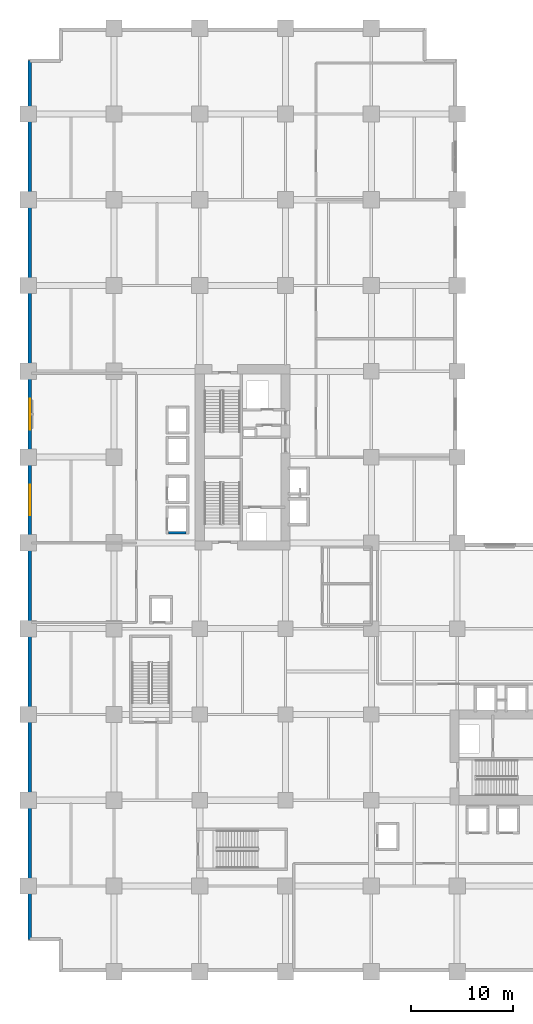
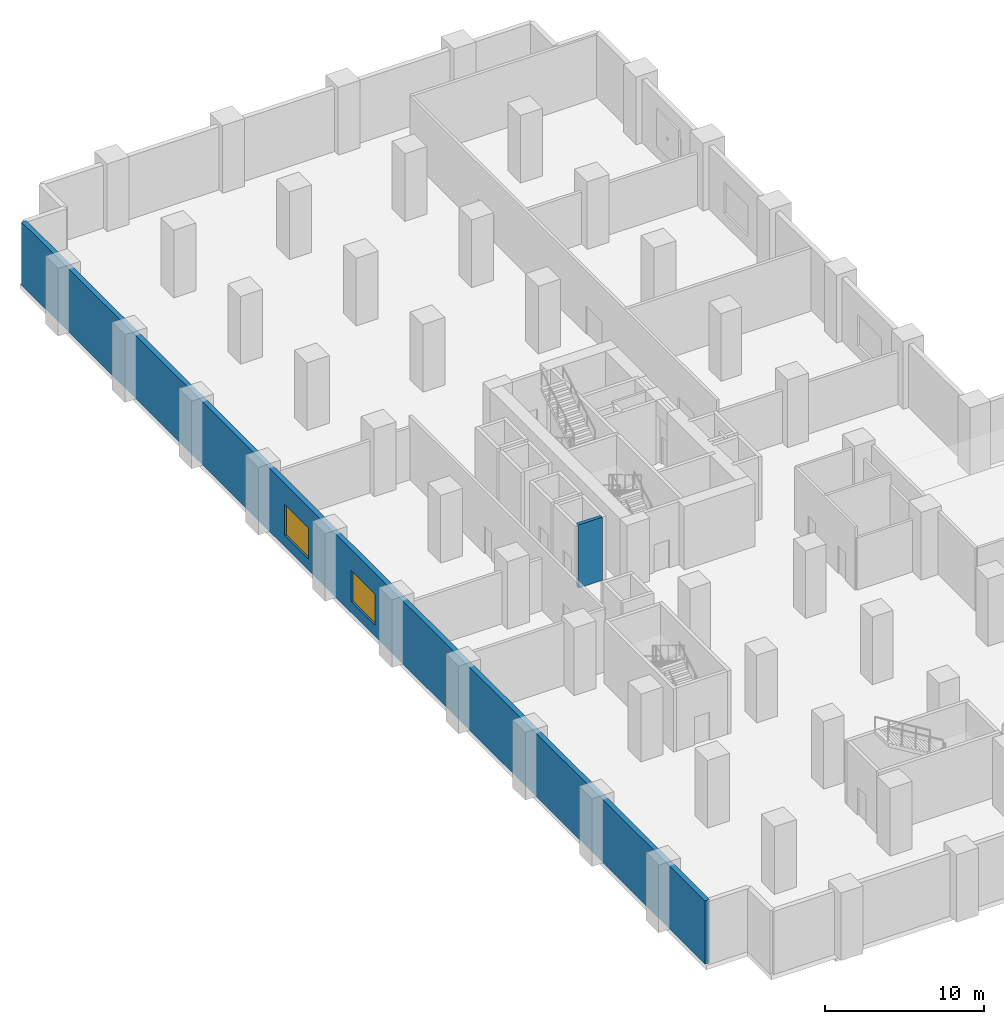
# One storey, part 11 of 19: 2 walls, 2 windows, 2 openings.
"""IFC4 building model written with IfcOpenShell, lengths in metres."""

from ifc_helpers import new_model, si_unit, direction, frame, frame_2d, origin, place, context, subcontext, project, spatial, rectangle, extrude, material, layer, layer_set, type_object, element, fill, save


model = new_model("IFC4")

# Units and contexts
model_context = context("Model", 3, precision=1e-05, world=origin(), true_north=direction((0.0, 1.0)))
body_context = subcontext(model_context, "Body", "Model", "MODEL_VIEW")
ifc_project = project(units=[si_unit("LENGTHUNIT", "METRE"), si_unit("AREAUNIT", "SQUARE_METRE"), si_unit("VOLUMEUNIT", "CUBIC_METRE"), si_unit("PLANEANGLEUNIT", "RADIAN"), si_unit("MASSUNIT", "GRAM", prefix="KILO")], contexts=[model_context])

# Site, building, storey
site_placement = place(None, origin())
site = spatial("IfcSite", under=ifc_project, at=site_placement, CompositionType="ELEMENT")
building_placement = place(site_placement, origin())
building = spatial("IfcBuilding", under=site, at=building_placement, Name="Koriwani Terraces Tower", CompositionType="ELEMENT")
storey_placement = place(building_placement, frame((0.0, 0.0, 15.60009765625)))
storey = spatial("IfcBuildingStorey", under=building, at=storey_placement, Name="L03", CompositionType="ELEMENT", Elevation=15.60009765625)

# Wall, openings, windows
ifc_material_1 = material(Name="Concrete C50/60", Category="concrete")
ifc_layer_1 = layer(ifc_material_1, 0.35009765625, Name="Concrete C50/60")
ifc_layer_set_1 = layer_set([ifc_layer_1], Name="Concrete C50/60")
wall_type_1 = type_object("IfcWallType", Name="WALL_EXT_BRUTALIST_350", PredefinedType="STANDARD", material=ifc_layer_set_1)
wall_1_placement = place(storey_placement, frame((0.175048828125, 3.175048828125, 0.0), z_axis=(0.0, 0.0, 1.0), x_axis=(0.0, 1.0, 0.0)))
wall_1 = element("IfcWall", 1, at=wall_1_placement, inside=storey, type_object=wall_type_1, Name="L03 Fair-Faced Brutalist Exterior Wall (W)", PredefinedType="STANDARD", context=body_context, shape_type="SweptSolid", body=[
    extrude(rectangle(XDim=86.050048828125, YDim=0.35009765625, at=frame_2d((43.02490234375, 0.0))), origin(), (0.0, 0.0, 1.0), 4.849853515625),
])
opening_1_placement = place(wall_1_placement, frame((41.52490234375, 0.0, 0.85009765625)))
opening_1 = element("IfcOpeningElement", 2, at=opening_1_placement, cuts=wall_1, Name="Opening W-06", PredefinedType="OPENING", context=body_context, shape_type="SweptSolid", body=[
    extrude(rectangle(XDim=3.0, YDim=2.39990234375, at=frame_2d((1.5, 1.199951171875))), frame((0.0, 0.18505859375, 0.0), z_axis=(0.0, -1.0, 0.0), x_axis=(1.0, 0.0, 0.0)), (0.0, 0.0, 1.0), 0.3701171875),
])
opening_2_placement = place(wall_1_placement, frame((49.925048828125, 0.0, 0.85009765625)))
opening_2 = element("IfcOpeningElement", 3, at=opening_2_placement, cuts=wall_1, Name="Opening W-06", PredefinedType="OPENING", context=body_context, shape_type="SweptSolid", body=[
    extrude(rectangle(XDim=3.0, YDim=2.39990234375, at=frame_2d((1.5, 1.199951171875))), frame((0.0, 0.18505859375, 0.0), z_axis=(0.0, -1.0, 0.0), x_axis=(1.0, 0.0, 0.0)), (0.0, 0.0, 1.0), 0.3701171875),
])
ifc_material_2 = material(Name="Tempered Laminated Low-E Glass", Category="glass")
window_type = type_object("IfcWindowType", Name="WIN_PODIUM_PUNCHED_3000X2400", PartitioningType="TRIPLE_PANEL_VERTICAL", PredefinedType="WINDOW", material=ifc_material_2)
window_1_placement = place(opening_1_placement, origin())
window_1 = element("IfcWindow", 4, at=window_1_placement, inside=storey, type_object=window_type, Name="L03 Exterior Window (W-15)", OverallHeight=2.39990234375, OverallWidth=3.0, PartitioningType="SINGLE_PANEL", PredefinedType="WINDOW", context=body_context, shape_type="SweptSolid", body=[
    extrude(rectangle(XDim=3.0, YDim=2.39990234375, at=frame_2d((1.5, 1.199951171875))), frame((0.0, 0.030029296875, 0.0), z_axis=(0.0, -1.0, 0.0), x_axis=(1.0, 0.0, 0.0)), (0.0, 0.0, 1.0), 0.06005859375),
])
fill(opening_1, window_1)
window_2_placement = place(opening_2_placement, origin())
window_2 = element("IfcWindow", 5, at=window_2_placement, inside=storey, type_object=window_type, Name="L03 Exterior Window (W-18)", OverallHeight=2.39990234375, OverallWidth=3.0, PartitioningType="SINGLE_PANEL", PredefinedType="WINDOW", context=body_context, shape_type="SweptSolid", body=[
    extrude(rectangle(XDim=3.0, YDim=2.39990234375, at=frame_2d((1.5, 1.199951171875))), frame((0.0, 0.030029296875, 0.0), z_axis=(0.0, -1.0, 0.0), x_axis=(1.0, 0.0, 0.0)), (0.0, 0.0, 1.0), 0.06005859375),
])
fill(opening_2, window_2)

# Wall
ifc_material_3 = material(Name="Concrete C40/50", Category="concrete")
ifc_layer_2 = layer(ifc_material_3, 0.25, Name="Concrete C40/50")
ifc_layer_set_2 = layer_set([ifc_layer_2], Name="Concrete C40/50")
wall_type_2 = type_object("IfcWallType", Name="WALL_SHAFT_RATED_250", PredefinedType="SOLIDWALL", material=ifc_layer_set_2)
wall_2_placement = place(storey_placement, frame((13.72509765625, 43.0, 0.0), z_axis=(0.0, 0.0, 1.0), x_axis=(1.0, 0.0, 0.0)))
element("IfcWall", 6, at=wall_2_placement, inside=storey, type_object=wall_type_2, Name="L03 Interior Wall WIN-LF-PE-L1-L03-S", PredefinedType="SOLIDWALL", context=body_context, shape_type="SweptSolid", body=[
    extrude(rectangle(XDim=1.75, YDim=0.25, at=frame_2d((0.875, 0.0))), origin(), (0.0, 0.0, 1.0), 4.849853515625),
])

save(model, "model.ifc")
